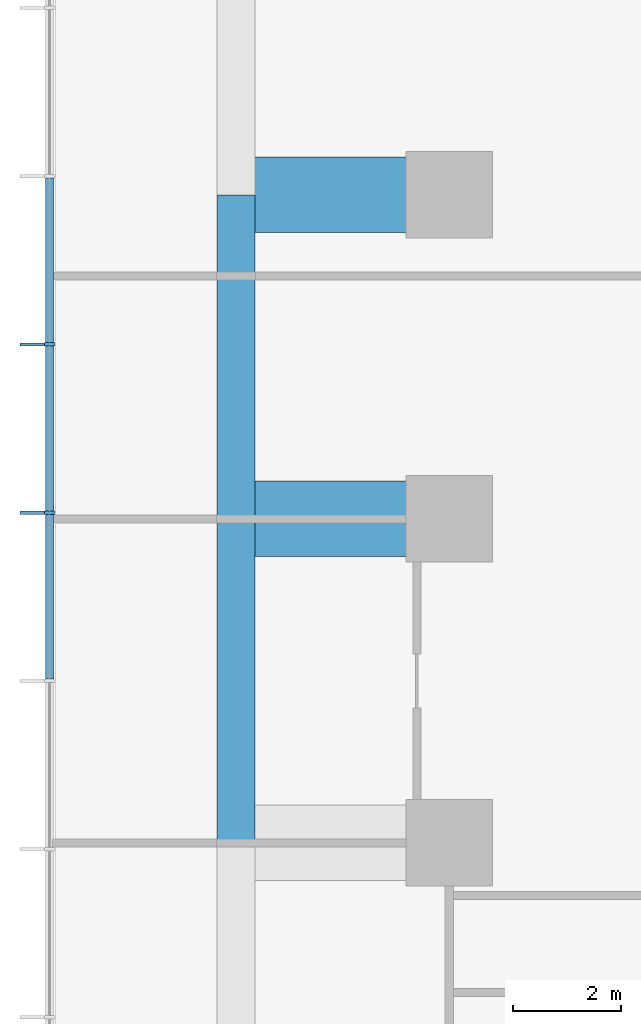
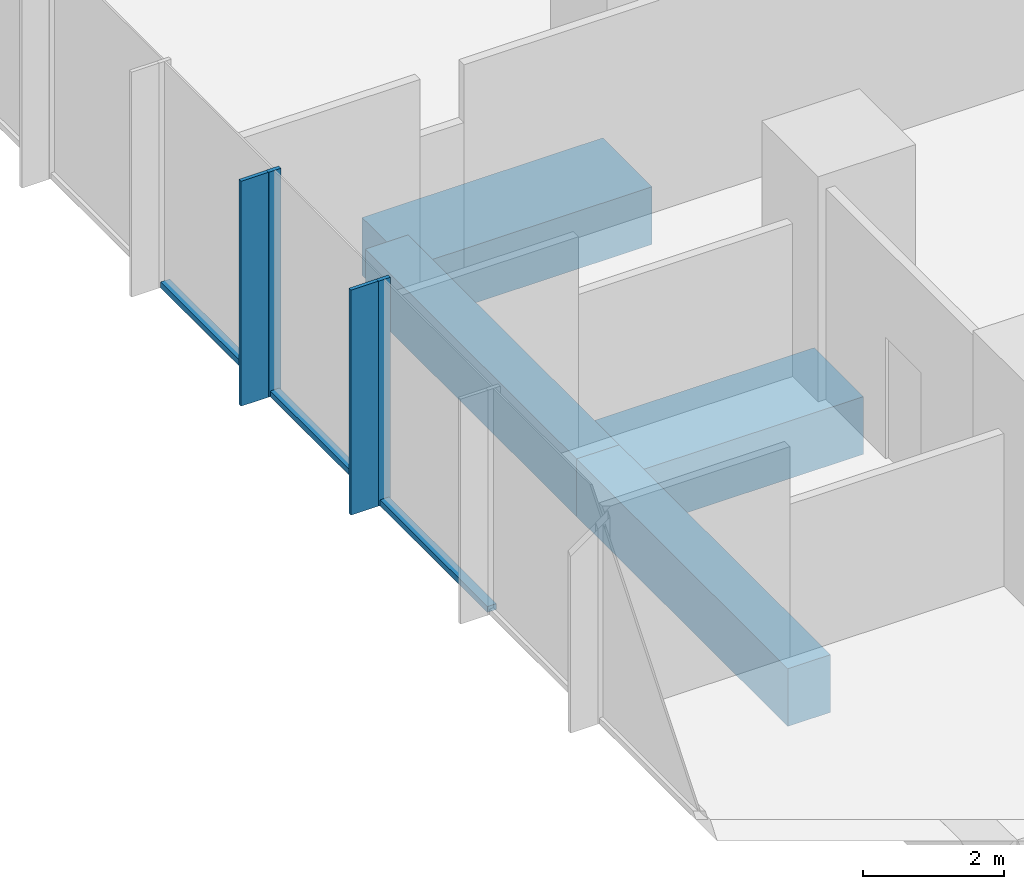
# One storey, part 3 of 11: 7 members, 4 beams, 1 element without a shape of its own.
"""IFC4 building model written with IfcOpenShell, lengths in metres."""

from ifc_helpers import new_model, si_unit, direction, frame, origin, origin_2d, place, context, subcontext, project, spatial, rectangle, extrude, material, layer, layer_set, material_profile, profile_set, type_object, element, aggregate, save


model = new_model("IFC4")

# Units and contexts
model_context = context("Model", 3, precision=1e-05, world=origin(), true_north=direction((0.0, 1.0)))
body_context = subcontext(model_context, "Body", "Model", "MODEL_VIEW")
ifc_project = project(units=[si_unit("LENGTHUNIT", "METRE"), si_unit("AREAUNIT", "SQUARE_METRE"), si_unit("VOLUMEUNIT", "CUBIC_METRE"), si_unit("PLANEANGLEUNIT", "RADIAN"), si_unit("MASSUNIT", "GRAM", prefix="KILO")], contexts=[model_context])

# Site, building, storey
site_placement = place(None, origin())
site = spatial("IfcSite", under=ifc_project, at=site_placement, CompositionType="ELEMENT")
building_placement = place(site_placement, origin())
building = spatial("IfcBuilding", under=site, at=building_placement, Name="Highveld Stack Headquarters", CompositionType="ELEMENT")
storey_placement = place(building_placement, frame((0.0, 0.0, 128.89990234375)))
storey = spatial("IfcBuildingStorey", under=building, at=storey_placement, Name="L31", CompositionType="ELEMENT", Elevation=128.89990234375)

# Beams
ifc_material_1 = material(Name="Concrete C60/75", Category="concrete")
ifc_material_profile_1 = material_profile(ifc_material_1, rectangle(XDim=1.39990234375, YDim=1.0, at=origin_2d()), Name="RC 1400x1000")
ifc_profile_set_1 = profile_set([ifc_material_profile_1], Name="Concrete C60/75")
beam_type_1 = type_object("IfcBeamType", Name="CANTILEVER RIB RC 1400x1000", PredefinedType="USERDEFINED", material=ifc_profile_set_1)
for number, where, z_axis, x_axis, name in (
    (1, (-18.0, 6.0, -0.75), (-1.0, 0.0, 0.0), (0.0, -1.0, 0.0), "Cantilever rib 3/F L31"),
    (2, (-18.0, 12.0, -0.75), (-1.0, 0.0, 0.0), (0.0, -1.0, 0.0), "Cantilever rib 3/G L31"),
):
    element("IfcBeam", number, at=place(storey_placement, frame(where, z_axis=z_axis, x_axis=x_axis)), inside=storey, type_object=beam_type_1, Name=name, ObjectType="CANTILEVER RIB", PredefinedType="USERDEFINED", context=body_context, shape_type="SweptSolid", body=[
        extrude(rectangle(XDim=1.39990234375, YDim=1.0, at=origin_2d()), origin(), (0.0, 0.0, 1.0), 3.949951171875),
    ])

# Curtain wall, members
ifc_material_2 = material(Name="Aluminium bronze anodised", Category="aluminium")
ifc_layer = layer(ifc_material_2, 0.199951171875)
ifc_layer_set = layer_set([ifc_layer], Name="Aluminium bronze anodised")
curtain_wall_type = type_object("IfcCurtainWallType", Name="CW1 TOWER UNITISED CURTAIN WALL", PredefinedType="NOTDEFINED", material=ifc_layer_set)
curtain_wall_placement = place(storey_placement, origin())
curtain_wall = element("IfcCurtainWall", 3, at=curtain_wall_placement, inside=storey, type_object=curtain_wall_type, Name="Curtain wall CW1 L31 W", PredefinedType="NOTDEFINED")
ifc_material_3 = material(Name="Aluminium bronze anodised", Category="aluminium")
ifc_material_profile_2 = material_profile(ifc_material_3, rectangle(XDim=0.449951171875, YDim=0.06005859375, at=origin_2d()), Name="FIN 450x60")
ifc_profile_set_2 = profile_set([ifc_material_profile_2], Name="Aluminium bronze anodised")
member_type_1 = type_object("IfcMemberType", Name="CW1 BRONZE FIN 450x60", PredefinedType="USERDEFINED", material=ifc_profile_set_2)
member_1_placement = place(storey_placement, frame((-25.72509765625, 9.23193359375, 0.0), z_axis=(0.0, 0.0, 1.0), x_axis=(1.0, 0.0, 0.0)))
member_1 = element("IfcMember", 4, at=member_1_placement, type_object=member_type_1, Name="CW1 fin L31 4", ObjectType="FIN", PredefinedType="USERDEFINED", context=body_context, shape_type="SweptSolid", body=[
    extrude(rectangle(XDim=0.449951171875, YDim=0.06005859375, at=origin_2d()), origin(), (0.0, 0.0, 1.0), 3.900146484375),
])
member_2_placement = place(storey_placement, frame((-25.72509765625, 6.115966796875, 0.0), z_axis=(0.0, 0.0, 1.0), x_axis=(1.0, 0.0, 0.0)))
member_2 = element("IfcMember", 5, at=member_2_placement, type_object=member_type_1, Name="CW1 fin L31 5", ObjectType="FIN", PredefinedType="USERDEFINED", context=body_context, shape_type="SweptSolid", body=[
    extrude(rectangle(XDim=0.449951171875, YDim=0.06005859375, at=origin_2d()), origin(), (0.0, 0.0, 1.0), 3.900146484375),
])
ifc_material_4 = material(Name="Aluminium bronze anodised", Category="aluminium")
ifc_material_profile_3 = material_profile(ifc_material_4, rectangle(XDim=0.199951171875, YDim=0.06494140625, at=origin_2d()), Name="CW1 MULLION 65x200")
ifc_profile_set_3 = profile_set([ifc_material_profile_3], Name="Aluminium bronze anodised")
member_type_2 = type_object("IfcMemberType", Name="CW1 MULLION 65x200", PredefinedType="MULLION", material=ifc_profile_set_3)
member_3_placement = place(storey_placement, frame((-25.39990234375, 9.23193359375, 0.0), z_axis=(0.0, 0.0, 1.0), x_axis=(1.0, 0.0, 0.0)))
member_3 = element("IfcMember", 6, at=member_3_placement, type_object=member_type_2, Name="CW1 mullion L31 4", PredefinedType="MULLION", context=body_context, shape_type="SweptSolid", body=[
    extrude(rectangle(XDim=0.199951171875, YDim=0.06494140625, at=origin_2d()), origin(), (0.0, 0.0, 1.0), 3.900146484375),
])
member_4_placement = place(storey_placement, frame((-25.39990234375, 6.115966796875, 0.0), z_axis=(0.0, 0.0, 1.0), x_axis=(1.0, 0.0, 0.0)))
member_4 = element("IfcMember", 7, at=member_4_placement, type_object=member_type_2, Name="CW1 mullion L31 5", PredefinedType="MULLION", context=body_context, shape_type="SweptSolid", body=[
    extrude(rectangle(XDim=0.199951171875, YDim=0.06494140625, at=origin_2d()), origin(), (0.0, 0.0, 1.0), 3.900146484375),
])
ifc_material_5 = material(Name="Aluminium bronze anodised", Category="aluminium")
ifc_material_profile_4 = material_profile(ifc_material_5, rectangle(XDim=0.14990234375, YDim=0.10009765625, at=origin_2d()), Name="CW1 TRANSOM 150x100")
ifc_profile_set_4 = profile_set([ifc_material_profile_4], Name="Aluminium bronze anodised")
member_type_3 = type_object("IfcMemberType", Name="CW1 STACK TRANSOM 150x100", PredefinedType="USERDEFINED", material=ifc_profile_set_4)
member_5_placement = place(storey_placement, frame((-25.39990234375, 12.3154296875, 0.050048828125), z_axis=(0.0, -1.0, 0.0), x_axis=(1.0, 0.0, 0.0)))
member_5 = element("IfcMember", 8, at=member_5_placement, type_object=member_type_3, Name="CW1 transom L31 3.1", ObjectType="TRANSOM", PredefinedType="USERDEFINED", context=body_context, shape_type="SweptSolid", body=[
    extrude(rectangle(XDim=0.14990234375, YDim=0.10009765625, at=origin_2d()), origin(), (0.0, 0.0, 1.0), 3.051025390625),
])
member_6_placement = place(storey_placement, frame((-25.39990234375, 9.199462890625, 0.050048828125), z_axis=(0.0, -1.0, 0.0), x_axis=(1.0, 0.0, 0.0)))
member_6 = element("IfcMember", 9, at=member_6_placement, type_object=member_type_3, Name="CW1 transom L31 4.1", ObjectType="TRANSOM", PredefinedType="USERDEFINED", context=body_context, shape_type="SweptSolid", body=[
    extrude(rectangle(XDim=0.14990234375, YDim=0.10009765625, at=origin_2d()), origin(), (0.0, 0.0, 1.0), 3.051025390625),
])
member_7_placement = place(storey_placement, frame((-25.39990234375, 6.08349609375, 0.050048828125), z_axis=(0.0, -1.0, 0.0), x_axis=(1.0, 0.0, 0.0)))
member_7 = element("IfcMember", 10, at=member_7_placement, type_object=member_type_3, Name="CW1 transom L31 5.1", ObjectType="TRANSOM", PredefinedType="USERDEFINED", context=body_context, shape_type="SweptSolid", body=[
    extrude(rectangle(XDim=0.14990234375, YDim=0.10009765625, at=origin_2d()), origin(), (0.0, 0.0, 1.0), 3.051025390625),
])
aggregate(curtain_wall, [member_3, member_1, member_4, member_2, member_5, member_6, member_7])

# Beams
ifc_material_6 = material(Name="Concrete C60/75", Category="concrete")
ifc_material_profile_5 = material_profile(ifc_material_6, rectangle(XDim=0.699951171875, YDim=1.0, at=origin_2d()), Name="RC 700x1000")
ifc_profile_set_5 = profile_set([ifc_material_profile_5], Name="Concrete C60/75")
beam_type_2 = type_object("IfcBeamType", Name="RIB TIP BEAM RC 700x1000", PredefinedType="SPANDREL", material=ifc_profile_set_5)
for number, where, z_axis, x_axis, name in (
    (11, (-21.949951171875, 0.0, -0.75), (0.0, 1.0, 0.0), (-1.0, 0.0, 0.0), "Rib tip beam 3/E to 3/F L31"),
    (12, (-21.949951171875, 6.0, -0.75), (0.0, 1.0, 0.0), (-1.0, 0.0, 0.0), "Rib tip beam 3/F to 3/G L31"),
):
    element("IfcBeam", number, at=place(storey_placement, frame(where, z_axis=z_axis, x_axis=x_axis)), inside=storey, type_object=beam_type_2, Name=name, PredefinedType="SPANDREL", context=body_context, shape_type="SweptSolid", body=[
        extrude(rectangle(XDim=0.699951171875, YDim=1.0, at=origin_2d()), origin(), (0.0, 0.0, 1.0), 6.0),
    ])

save(model, "model.ifc")
